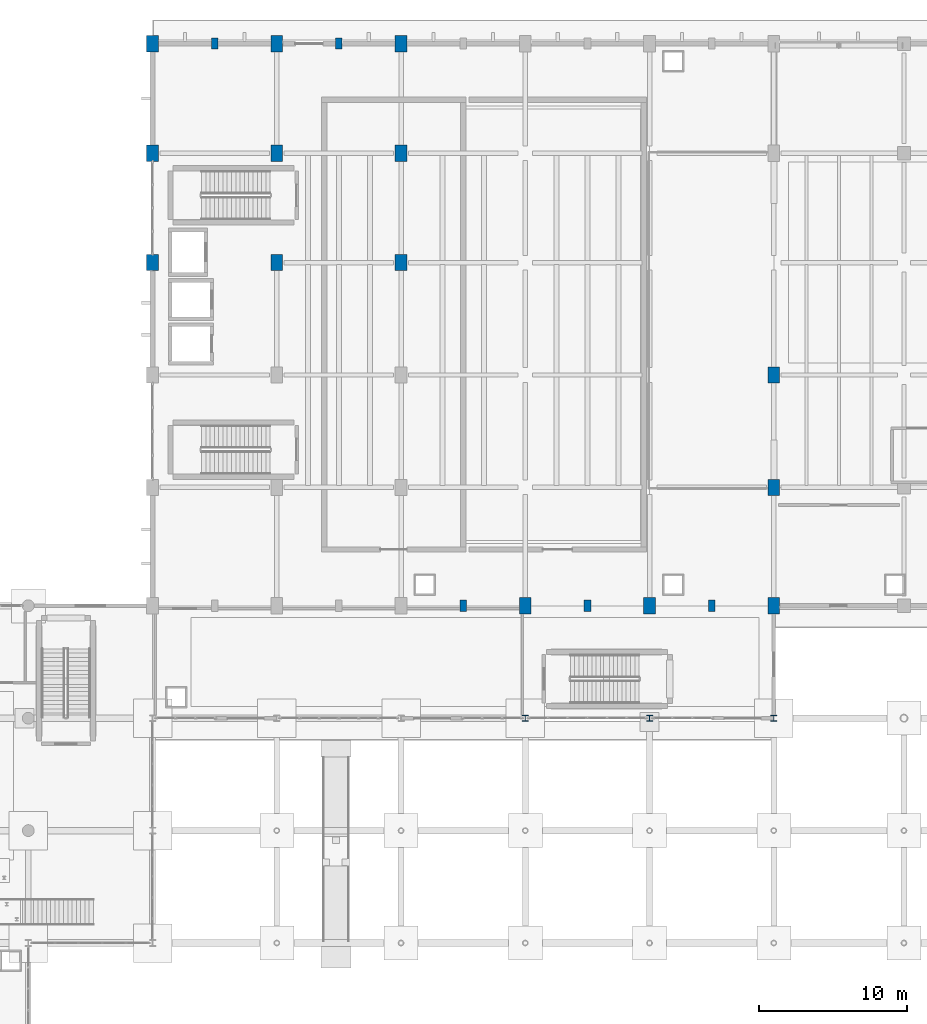
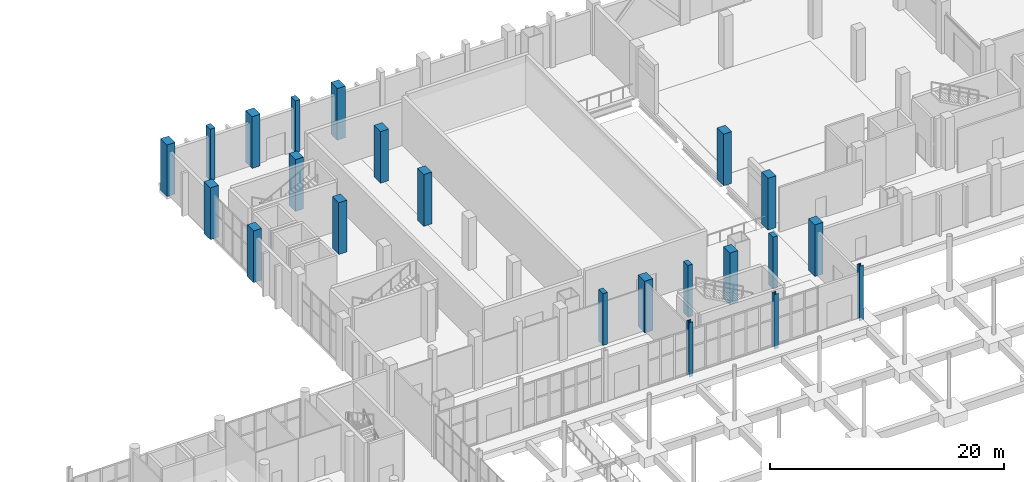
# One storey, part 12 of 95: 22 columns.
"""IFC4 building model written with IfcOpenShell, lengths in metres."""

from ifc_helpers import new_model, si_unit, direction, frame, origin, origin_2d, place, context, subcontext, project, spatial, rectangle, i_section, extrude, material, material_profile, profile_set, type_object, element, save


model = new_model("IFC4")

# Units and contexts
model_context = context("Model", 3, precision=1e-05, world=origin(), true_north=direction((0.0, 1.0)))
body_context = subcontext(model_context, "Body", "Model", "MODEL_VIEW")
ifc_project = project(units=[si_unit("LENGTHUNIT", "METRE"), si_unit("AREAUNIT", "SQUARE_METRE"), si_unit("VOLUMEUNIT", "CUBIC_METRE"), si_unit("PLANEANGLEUNIT", "RADIAN"), si_unit("MASSUNIT", "GRAM", prefix="KILO")], contexts=[model_context])

# Site, building, storey
site_placement = place(None, origin())
site = spatial("IfcSite", under=ifc_project, at=site_placement, CompositionType="ELEMENT")
building_placement = place(site_placement, origin())
building = spatial("IfcBuilding", under=site, at=building_placement, Name="Shengluoqiao Park Theatre", CompositionType="ELEMENT")
storey_placement = place(building_placement, origin())
storey = spatial("IfcBuildingStorey", under=building, at=storey_placement, Name="L00", CompositionType="ELEMENT", Elevation=0.0)

# Columns
ifc_material_1 = material(Name="Steel Q390", Category="steel")
ifc_material_profile_1 = material_profile(ifc_material_1, i_section(OverallWidth=0.405029296875, OverallDepth=0.4140625, WebThickness=0.01806640625, FlangeThickness=0.028076171875, FilletRadius=0.02197265625, at=origin_2d()), Name="HW 414x405x18x28")
ifc_profile_set_1 = profile_set([ifc_material_profile_1], Name="Steel Q390")
column_type_1 = type_object("IfcColumnType", Name="STR-COL-C-HW414", PredefinedType="COLUMN", material=ifc_profile_set_1)
for number, where, z_axis, x_axis, name in (
    (1, (69.60009765625, 68.39990234375, -0.300048828125), (0.0, 0.0, 1.0), (1.0, 0.0, 0.0), "L00 Column 0355"),
    (2, (78.0, 68.39990234375, -0.300048828125), (0.0, 0.0, 1.0), (1.0, 0.0, 0.0), "L00 Column 0387"),
    (3, (86.39990234375, 68.39990234375, -0.300048828125), (0.0, 0.0, 1.0), (1.0, 0.0, 0.0), "L00 Column 0419"),
):
    element("IfcColumn", number, at=place(storey_placement, frame(where, z_axis=z_axis, x_axis=x_axis)), inside=storey, type_object=column_type_1, Name=name, PredefinedType="COLUMN", context=body_context, shape_type="SweptSolid", body=[
        extrude(i_section(OverallWidth=0.405029296875, OverallDepth=0.4140625, WebThickness=0.01806640625, FlangeThickness=0.028076171875, FilletRadius=0.02197265625, at=origin_2d()), origin(), (0.0, 0.0, 1.0), 5.699951171875),
    ])
ifc_material_2 = material(Name="Concrete C50", Category="concrete")
ifc_material_profile_2 = material_profile(ifc_material_2, rectangle(XDim=0.449951171875, YDim=0.75, at=origin_2d()), Name="RC PILASTER 450x750")
ifc_profile_set_2 = profile_set([ifc_material_profile_2], Name="Concrete C50")
column_type_2 = type_object("IfcColumnType", Name="STR-COL-C-PIL4575", PredefinedType="PILASTER", material=ifc_profile_set_2)
for number, where, z_axis, x_axis, name in (
    (4, (48.60009765625, 114.0, 0.0), (0.0, 0.0, 1.0), (1.0, 0.0, 0.0), "L00 Column 0251"),
    (5, (57.0, 114.0, 0.0), (0.0, 0.0, 1.0), (1.0, 0.0, 0.0), "L00 Column 0299"),
    (6, (65.39990234375, 76.0, 0.0), (0.0, 0.0, 1.0), (1.0, 0.0, 0.0), "L00 Column 0342"),
    (7, (73.800048828125, 76.0, 0.0), (0.0, 0.0, 1.0), (1.0, 0.0, 0.0), "L00 Column 0374"),
    (8, (82.199951171875, 76.0, 0.0), (0.0, 0.0, 1.0), (1.0, 0.0, 0.0), "L00 Column 0406"),
):
    element("IfcColumn", number, at=place(storey_placement, frame(where, z_axis=z_axis, x_axis=x_axis)), inside=storey, type_object=column_type_2, Name=name, PredefinedType="PILASTER", context=body_context, shape_type="SweptSolid", body=[
        extrude(rectangle(XDim=0.449951171875, YDim=0.75, at=origin_2d()), origin(), (0.0, 0.0, 1.0), 5.39990234375),
    ])
ifc_material_profile_3 = material_profile(ifc_material_2, rectangle(XDim=0.800048828125, YDim=1.10009765625, at=origin_2d()), Name="RC 800x1100")
ifc_profile_set_3 = profile_set([ifc_material_profile_3], Name="Concrete C50")
column_type_3 = type_object("IfcColumnType", Name="STR-COL-C-RC8011", PredefinedType="COLUMN", material=ifc_profile_set_3)
for number, where, z_axis, x_axis, name in (
    (9, (44.39990234375, 99.199951171875, 0.0), (0.0, 0.0, 1.0), (1.0, 0.0, 0.0), "L00 Column 0231"),
    (10, (44.39990234375, 106.60009765625, 0.0), (0.0, 0.0, 1.0), (1.0, 0.0, 0.0), "L00 Column 0236"),
    (11, (44.39990234375, 114.0, 0.0), (0.0, 0.0, 1.0), (1.0, 0.0, 0.0), "L00 Column 0241"),
    (12, (52.800048828125, 99.199951171875, 0.0), (0.0, 0.0, 1.0), (1.0, 0.0, 0.0), "L00 Column 0279"),
    (13, (52.800048828125, 106.60009765625, 0.0), (0.0, 0.0, 1.0), (1.0, 0.0, 0.0), "L00 Column 0284"),
    (14, (52.800048828125, 114.0, 0.0), (0.0, 0.0, 1.0), (1.0, 0.0, 0.0), "L00 Column 0289"),
    (15, (61.199951171875, 99.199951171875, 0.0), (0.0, 0.0, 1.0), (1.0, 0.0, 0.0), "L00 Column 0327"),
    (16, (61.199951171875, 106.60009765625, 0.0), (0.0, 0.0, 1.0), (1.0, 0.0, 0.0), "L00 Column 0332"),
    (17, (61.199951171875, 114.0, 0.0), (0.0, 0.0, 1.0), (1.0, 0.0, 0.0), "L00 Column 0337"),
    (18, (69.60009765625, 76.0, 0.0), (0.0, 0.0, 1.0), (1.0, 0.0, 0.0), "L00 Column 0360"),
    (19, (78.0, 76.0, 0.0), (0.0, 0.0, 1.0), (1.0, 0.0, 0.0), "L00 Column 0392"),
    (20, (86.39990234375, 76.0, 0.0), (0.0, 0.0, 1.0), (1.0, 0.0, 0.0), "L00 Column 0424"),
    (21, (86.39990234375, 84.0, 0.0), (0.0, 0.0, 1.0), (1.0, 0.0, 0.0), "L00 Column 0429"),
    (22, (86.39990234375, 91.60009765625, 0.0), (0.0, 0.0, 1.0), (1.0, 0.0, 0.0), "L00 Column 0436"),
):
    element("IfcColumn", number, at=place(storey_placement, frame(where, z_axis=z_axis, x_axis=x_axis)), inside=storey, type_object=column_type_3, Name=name, PredefinedType="COLUMN", context=body_context, shape_type="SweptSolid", body=[
        extrude(rectangle(XDim=0.800048828125, YDim=1.10009765625, at=origin_2d()), origin(), (0.0, 0.0, 1.0), 5.39990234375),
    ])

save(model, "model.ifc")
